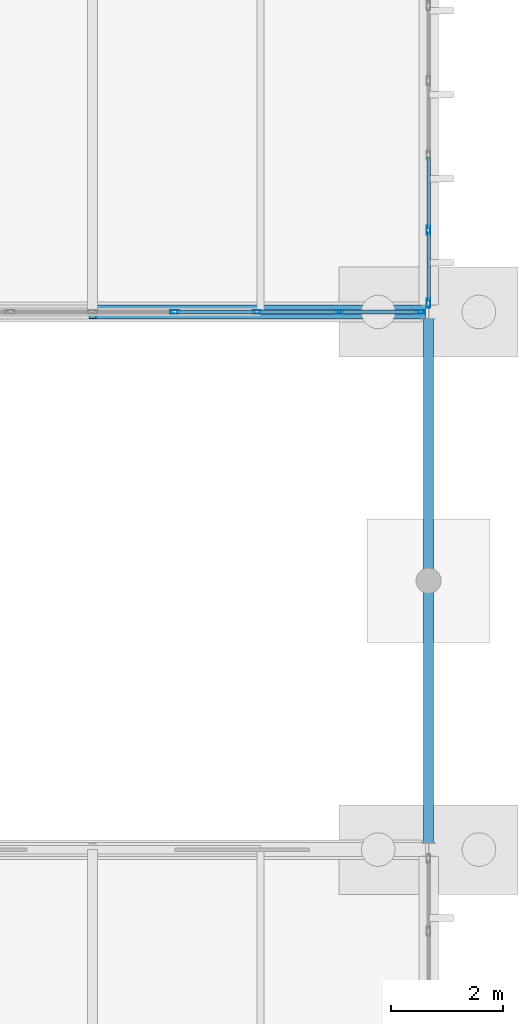
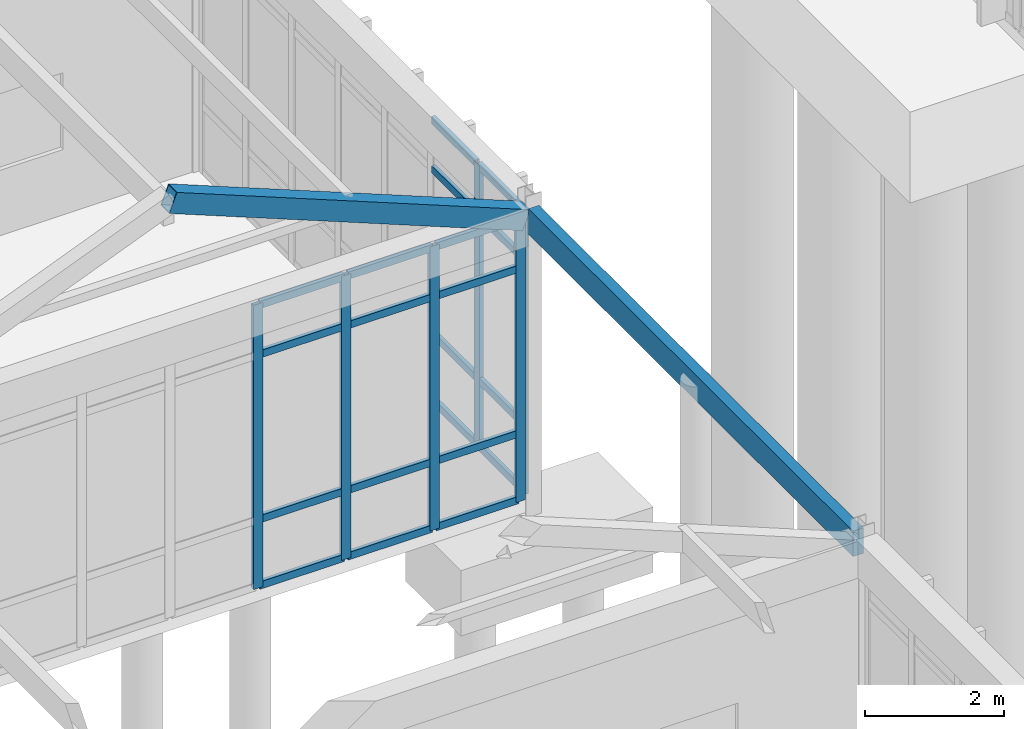
# One storey, part 68 of 188: 28 members, 2 elements without a shape of their own.
"""IFC4 building model written with IfcOpenShell, lengths in metres."""

from ifc_helpers import new_model, si_unit, direction, frame, origin, origin_2d, place, context, subcontext, project, spatial, rectangle, hollow_rectangle, extrude, material, layer, layer_set, material_profile, profile_set, type_object, element, aggregate, save


model = new_model("IFC4")

# Units and contexts
model_context = context("Model", 3, precision=1e-05, world=origin(), true_north=direction((0.0, 1.0)))
body_context = subcontext(model_context, "Body", "Model", "MODEL_VIEW")
ifc_project = project(units=[si_unit("LENGTHUNIT", "METRE"), si_unit("AREAUNIT", "SQUARE_METRE"), si_unit("VOLUMEUNIT", "CUBIC_METRE"), si_unit("PLANEANGLEUNIT", "RADIAN"), si_unit("MASSUNIT", "GRAM", prefix="KILO")], contexts=[model_context])

# Site, building, storey
site_placement = place(None, origin())
site = spatial("IfcSite", under=ifc_project, at=site_placement, CompositionType="ELEMENT")
building_placement = place(site_placement, origin())
building = spatial("IfcBuilding", under=site, at=building_placement, Name="Pandanus Reach Market Hall", CompositionType="ELEMENT")
storey_placement = place(building_placement, origin())
storey = spatial("IfcBuildingStorey", under=building, at=storey_placement, Name="L00", CompositionType="ELEMENT", Elevation=0.0)

# Curtain wall, members
ifc_material_1 = material(Name="Bronze anodised aluminium and low-E glass", Category="aluminium")
ifc_layer_1 = layer(ifc_material_1, 0.159912109375, Name="CW-07")
ifc_layer_set_1 = layer_set([ifc_layer_1], Name="Bronze anodised aluminium and low-E glass")
curtain_wall_type_1 = type_object("IfcCurtainWallType", Name="CW-07", PredefinedType="NOTDEFINED", material=ifc_layer_set_1)
curtain_wall_1_placement = place(storey_placement, origin())
curtain_wall_1 = element("IfcCurtainWall", 1, at=curtain_wall_1_placement, inside=storey, type_object=curtain_wall_type_1, Name="Glazed curtain wall CW-07 CW-0045", PredefinedType="NOTDEFINED")
ifc_material_2 = material(Name="Bronze anodised aluminium", Category="aluminium")
ifc_material_profile_1 = material_profile(ifc_material_2, hollow_rectangle(XDim=0.06494140625, YDim=0.159912109375, WallThickness=0.00390625, at=origin_2d()), Name="ALU65x160", Category="LoadBearing")
ifc_profile_set_1 = profile_set([ifc_material_profile_1], Name="Bronze anodised aluminium")
member_type_1 = type_object("IfcMemberType", Name="CW-M1", PredefinedType="MULLION", material=ifc_profile_set_1)
member_1_placement = place(storey_placement, frame((31.46826171875, 76.800048828125, 0.0), z_axis=(0.0, 0.0, 1.0), x_axis=(0.0, 1.0, 0.0)))
member_1 = element("IfcMember", 2, at=member_1_placement, type_object=member_type_1, Name="CW-07 mullion 6", PredefinedType="MULLION", context=body_context, shape_type="SweptSolid", body=[
    extrude(hollow_rectangle(XDim=0.06494140625, YDim=0.159912109375, WallThickness=0.00390625, at=origin_2d()), origin(), (0.0, 0.0, 1.0), 5.0),
])
member_2_placement = place(storey_placement, frame((32.9365234375, 76.800048828125, 0.0), z_axis=(0.0, 0.0, 1.0), x_axis=(0.0, 1.0, 0.0)))
member_2 = element("IfcMember", 3, at=member_2_placement, type_object=member_type_1, Name="CW-07 mullion 7", PredefinedType="MULLION", context=body_context, shape_type="SweptSolid", body=[
    extrude(hollow_rectangle(XDim=0.06494140625, YDim=0.159912109375, WallThickness=0.00390625, at=origin_2d()), origin(), (0.0, 0.0, 1.0), 5.0),
])
member_3_placement = place(storey_placement, frame((34.40478515625, 76.800048828125, 0.0), z_axis=(0.0, 0.0, 1.0), x_axis=(0.0, 1.0, 0.0)))
member_3 = element("IfcMember", 4, at=member_3_placement, type_object=member_type_1, Name="CW-07 mullion 8", PredefinedType="MULLION", context=body_context, shape_type="SweptSolid", body=[
    extrude(hollow_rectangle(XDim=0.06494140625, YDim=0.159912109375, WallThickness=0.00390625, at=origin_2d()), origin(), (0.0, 0.0, 1.0), 5.0),
])
member_4_placement = place(storey_placement, frame((35.840576171875, 76.800048828125, 0.0), z_axis=(0.0, 0.0, 1.0), x_axis=(0.0, 1.0, 0.0)))
member_4 = element("IfcMember", 5, at=member_4_placement, type_object=member_type_1, Name="CW-07 mullion 9", PredefinedType="MULLION", context=body_context, shape_type="SweptSolid", body=[
    extrude(hollow_rectangle(XDim=0.06494140625, YDim=0.159912109375, WallThickness=0.00390625, at=origin_2d()), origin(), (0.0, 0.0, 1.0), 5.0),
])

ifc_layer_2 = layer(ifc_material_1, 0.159912109375, Name="CW-08")
ifc_layer_set_2 = layer_set([ifc_layer_2], Name="Bronze anodised aluminium and low-E glass")
curtain_wall_type_2 = type_object("IfcCurtainWallType", Name="CW-08", PredefinedType="NOTDEFINED", material=ifc_layer_set_2)
curtain_wall_2_placement = place(storey_placement, origin())
curtain_wall_2 = element("IfcCurtainWall", 6, at=curtain_wall_2_placement, inside=storey, type_object=curtain_wall_type_2, Name="Glazed curtain wall CW-08 CW-0046", PredefinedType="NOTDEFINED")
member_5_placement = place(storey_placement, frame((36.0, 76.95947265625, 0.0), z_axis=(0.0, 0.0, 1.0), x_axis=(-1.0, 0.0, 0.0)))
member_5 = element("IfcMember", 7, at=member_5_placement, type_object=member_type_1, Name="CW-08 mullion 1", PredefinedType="MULLION", context=body_context, shape_type="SweptSolid", body=[
    extrude(hollow_rectangle(XDim=0.06494140625, YDim=0.159912109375, WallThickness=0.00390625, at=origin_2d()), origin(), (0.0, 0.0, 1.0), 5.0),
])
member_6_placement = place(storey_placement, frame((36.0, 78.26220703125, 0.0), z_axis=(0.0, 0.0, 1.0), x_axis=(-1.0, 0.0, 0.0)))
member_6 = element("IfcMember", 8, at=member_6_placement, type_object=member_type_1, Name="CW-08 mullion 2", PredefinedType="MULLION", context=body_context, shape_type="SweptSolid", body=[
    extrude(hollow_rectangle(XDim=0.06494140625, YDim=0.159912109375, WallThickness=0.00390625, at=origin_2d()), origin(), (0.0, 0.0, 1.0), 5.0),
])

# Member
ifc_material_profile_2 = material_profile(ifc_material_2, hollow_rectangle(XDim=0.06494140625, YDim=0.1298828125, WallThickness=0.00390625, at=origin_2d()), Name="ALU65x130", Category="LoadBearing")
ifc_profile_set_2 = profile_set([ifc_material_profile_2], Name="Bronze anodised aluminium")
member_type_2 = type_object("IfcMemberType", Name="CW-T1", PredefinedType="USERDEFINED", material=ifc_profile_set_2)
member_7_placement = place(storey_placement, frame((31.500732421875, 76.800048828125, 0.032470703125), z_axis=(1.0, 0.0, 0.0), x_axis=(0.0, 1.0, 0.0)))
member_7 = element("IfcMember", 9, at=member_7_placement, type_object=member_type_2, Name="CW-07 transom 6.1", ObjectType="TRANSOM", PredefinedType="USERDEFINED", context=body_context, shape_type="SweptSolid", body=[
    extrude(hollow_rectangle(XDim=0.06494140625, YDim=0.1298828125, WallThickness=0.00390625, at=origin_2d()), origin(), (0.0, 0.0, 1.0), 1.4033203125),
])

member_8_placement = place(storey_placement, frame((31.500732421875, 76.800048828125, 1.199951171875), z_axis=(1.0, 0.0, 0.0), x_axis=(0.0, 1.0, 0.0)))
member_8 = element("IfcMember", 10, at=member_8_placement, type_object=member_type_2, Name="CW-07 transom 6.2", ObjectType="TRANSOM", PredefinedType="USERDEFINED", context=body_context, shape_type="SweptSolid", body=[
    extrude(hollow_rectangle(XDim=0.06494140625, YDim=0.1298828125, WallThickness=0.00390625, at=origin_2d()), origin(), (0.0, 0.0, 1.0), 1.4033203125),
])

member_9_placement = place(storey_placement, frame((31.500732421875, 76.800048828125, 4.10009765625), z_axis=(1.0, 0.0, 0.0), x_axis=(0.0, 1.0, 0.0)))
member_9 = element("IfcMember", 11, at=member_9_placement, type_object=member_type_2, Name="CW-07 transom 6.3", ObjectType="TRANSOM", PredefinedType="USERDEFINED", context=body_context, shape_type="SweptSolid", body=[
    extrude(hollow_rectangle(XDim=0.06494140625, YDim=0.1298828125, WallThickness=0.00390625, at=origin_2d()), origin(), (0.0, 0.0, 1.0), 1.4033203125),
])

member_10_placement = place(storey_placement, frame((31.500732421875, 76.800048828125, 4.967529296875), z_axis=(1.0, 0.0, 0.0), x_axis=(0.0, 1.0, 0.0)))
member_10 = element("IfcMember", 12, at=member_10_placement, type_object=member_type_2, Name="CW-07 transom 6.4", ObjectType="TRANSOM", PredefinedType="USERDEFINED", context=body_context, shape_type="SweptSolid", body=[
    extrude(hollow_rectangle(XDim=0.06494140625, YDim=0.1298828125, WallThickness=0.00390625, at=origin_2d()), origin(), (0.0, 0.0, 1.0), 1.4033203125),
])

member_11_placement = place(storey_placement, frame((32.968994140625, 76.800048828125, 0.032470703125), z_axis=(1.0, 0.0, 0.0), x_axis=(0.0, 1.0, 0.0)))
member_11 = element("IfcMember", 13, at=member_11_placement, type_object=member_type_2, Name="CW-07 transom 7.1", ObjectType="TRANSOM", PredefinedType="USERDEFINED", context=body_context, shape_type="SweptSolid", body=[
    extrude(hollow_rectangle(XDim=0.06494140625, YDim=0.1298828125, WallThickness=0.00390625, at=origin_2d()), origin(), (0.0, 0.0, 1.0), 1.4033203125),
])

member_12_placement = place(storey_placement, frame((32.968994140625, 76.800048828125, 1.199951171875), z_axis=(1.0, 0.0, 0.0), x_axis=(0.0, 1.0, 0.0)))
member_12 = element("IfcMember", 14, at=member_12_placement, type_object=member_type_2, Name="CW-07 transom 7.2", ObjectType="TRANSOM", PredefinedType="USERDEFINED", context=body_context, shape_type="SweptSolid", body=[
    extrude(hollow_rectangle(XDim=0.06494140625, YDim=0.1298828125, WallThickness=0.00390625, at=origin_2d()), origin(), (0.0, 0.0, 1.0), 1.4033203125),
])

member_13_placement = place(storey_placement, frame((32.968994140625, 76.800048828125, 4.10009765625), z_axis=(1.0, 0.0, 0.0), x_axis=(0.0, 1.0, 0.0)))
member_13 = element("IfcMember", 15, at=member_13_placement, type_object=member_type_2, Name="CW-07 transom 7.3", ObjectType="TRANSOM", PredefinedType="USERDEFINED", context=body_context, shape_type="SweptSolid", body=[
    extrude(hollow_rectangle(XDim=0.06494140625, YDim=0.1298828125, WallThickness=0.00390625, at=origin_2d()), origin(), (0.0, 0.0, 1.0), 1.4033203125),
])

member_14_placement = place(storey_placement, frame((32.968994140625, 76.800048828125, 4.967529296875), z_axis=(1.0, 0.0, 0.0), x_axis=(0.0, 1.0, 0.0)))
member_14 = element("IfcMember", 16, at=member_14_placement, type_object=member_type_2, Name="CW-07 transom 7.4", ObjectType="TRANSOM", PredefinedType="USERDEFINED", context=body_context, shape_type="SweptSolid", body=[
    extrude(hollow_rectangle(XDim=0.06494140625, YDim=0.1298828125, WallThickness=0.00390625, at=origin_2d()), origin(), (0.0, 0.0, 1.0), 1.4033203125),
])

member_15_placement = place(storey_placement, frame((34.437255859375, 76.800048828125, 0.032470703125), z_axis=(1.0, 0.0, 0.0), x_axis=(0.0, 1.0, 0.0)))
member_15 = element("IfcMember", 17, at=member_15_placement, type_object=member_type_2, Name="CW-07 transom 8.1", ObjectType="TRANSOM", PredefinedType="USERDEFINED", context=body_context, shape_type="SweptSolid", body=[
    extrude(hollow_rectangle(XDim=0.06494140625, YDim=0.1298828125, WallThickness=0.00390625, at=origin_2d()), origin(), (0.0, 0.0, 1.0), 1.370849609375),
])

member_16_placement = place(storey_placement, frame((34.437255859375, 76.800048828125, 1.199951171875), z_axis=(1.0, 0.0, 0.0), x_axis=(0.0, 1.0, 0.0)))
member_16 = element("IfcMember", 18, at=member_16_placement, type_object=member_type_2, Name="CW-07 transom 8.2", ObjectType="TRANSOM", PredefinedType="USERDEFINED", context=body_context, shape_type="SweptSolid", body=[
    extrude(hollow_rectangle(XDim=0.06494140625, YDim=0.1298828125, WallThickness=0.00390625, at=origin_2d()), origin(), (0.0, 0.0, 1.0), 1.370849609375),
])

member_17_placement = place(storey_placement, frame((34.437255859375, 76.800048828125, 4.10009765625), z_axis=(1.0, 0.0, 0.0), x_axis=(0.0, 1.0, 0.0)))
member_17 = element("IfcMember", 19, at=member_17_placement, type_object=member_type_2, Name="CW-07 transom 8.3", ObjectType="TRANSOM", PredefinedType="USERDEFINED", context=body_context, shape_type="SweptSolid", body=[
    extrude(hollow_rectangle(XDim=0.06494140625, YDim=0.1298828125, WallThickness=0.00390625, at=origin_2d()), origin(), (0.0, 0.0, 1.0), 1.370849609375),
])

member_18_placement = place(storey_placement, frame((34.437255859375, 76.800048828125, 4.967529296875), z_axis=(1.0, 0.0, 0.0), x_axis=(0.0, 1.0, 0.0)))
member_18 = element("IfcMember", 20, at=member_18_placement, type_object=member_type_2, Name="CW-07 transom 8.4", ObjectType="TRANSOM", PredefinedType="USERDEFINED", context=body_context, shape_type="SweptSolid", body=[
    extrude(hollow_rectangle(XDim=0.06494140625, YDim=0.1298828125, WallThickness=0.00390625, at=origin_2d()), origin(), (0.0, 0.0, 1.0), 1.370849609375),
])

aggregate(curtain_wall_1, [member_1, member_2, member_3, member_4, member_7, member_8, member_9, member_10, member_11, member_12, member_13, member_14, member_15, member_16, member_17, member_18])

member_19_placement = place(storey_placement, frame((36.0, 76.991943359375, 0.032470703125), z_axis=(0.0, 1.0, 0.0), x_axis=(-1.0, 0.0, 0.0)))
member_19 = element("IfcMember", 21, at=member_19_placement, type_object=member_type_2, Name="CW-08 transom 1.1", ObjectType="TRANSOM", PredefinedType="USERDEFINED", context=body_context, shape_type="SweptSolid", body=[
    extrude(hollow_rectangle(XDim=0.06494140625, YDim=0.1298828125, WallThickness=0.00390625, at=origin_2d()), origin(), (0.0, 0.0, 1.0), 1.23779296875),
])

member_20_placement = place(storey_placement, frame((36.0, 76.991943359375, 1.199951171875), z_axis=(0.0, 1.0, 0.0), x_axis=(-1.0, 0.0, 0.0)))
member_20 = element("IfcMember", 22, at=member_20_placement, type_object=member_type_2, Name="CW-08 transom 1.2", ObjectType="TRANSOM", PredefinedType="USERDEFINED", context=body_context, shape_type="SweptSolid", body=[
    extrude(hollow_rectangle(XDim=0.06494140625, YDim=0.1298828125, WallThickness=0.00390625, at=origin_2d()), origin(), (0.0, 0.0, 1.0), 1.23779296875),
])

member_21_placement = place(storey_placement, frame((36.0, 76.991943359375, 4.10009765625), z_axis=(0.0, 1.0, 0.0), x_axis=(-1.0, 0.0, 0.0)))
member_21 = element("IfcMember", 23, at=member_21_placement, type_object=member_type_2, Name="CW-08 transom 1.3", ObjectType="TRANSOM", PredefinedType="USERDEFINED", context=body_context, shape_type="SweptSolid", body=[
    extrude(hollow_rectangle(XDim=0.06494140625, YDim=0.1298828125, WallThickness=0.00390625, at=origin_2d()), origin(), (0.0, 0.0, 1.0), 1.23779296875),
])

member_22_placement = place(storey_placement, frame((36.0, 76.991943359375, 4.967529296875), z_axis=(0.0, 1.0, 0.0), x_axis=(-1.0, 0.0, 0.0)))
member_22 = element("IfcMember", 24, at=member_22_placement, type_object=member_type_2, Name="CW-08 transom 1.4", ObjectType="TRANSOM", PredefinedType="USERDEFINED", context=body_context, shape_type="SweptSolid", body=[
    extrude(hollow_rectangle(XDim=0.06494140625, YDim=0.1298828125, WallThickness=0.00390625, at=origin_2d()), origin(), (0.0, 0.0, 1.0), 1.23779296875),
])

member_23_placement = place(storey_placement, frame((36.0, 78.294677734375, 0.032470703125), z_axis=(0.0, 1.0, 0.0), x_axis=(-1.0, 0.0, 0.0)))
member_23 = element("IfcMember", 25, at=member_23_placement, type_object=member_type_2, Name="CW-08 transom 2.1", ObjectType="TRANSOM", PredefinedType="USERDEFINED", context=body_context, shape_type="SweptSolid", body=[
    extrude(hollow_rectangle(XDim=0.06494140625, YDim=0.1298828125, WallThickness=0.00390625, at=origin_2d()), origin(), (0.0, 0.0, 1.0), 1.27001953125),
])

member_24_placement = place(storey_placement, frame((36.0, 78.294677734375, 1.199951171875), z_axis=(0.0, 1.0, 0.0), x_axis=(-1.0, 0.0, 0.0)))
member_24 = element("IfcMember", 26, at=member_24_placement, type_object=member_type_2, Name="CW-08 transom 2.2", ObjectType="TRANSOM", PredefinedType="USERDEFINED", context=body_context, shape_type="SweptSolid", body=[
    extrude(hollow_rectangle(XDim=0.06494140625, YDim=0.1298828125, WallThickness=0.00390625, at=origin_2d()), origin(), (0.0, 0.0, 1.0), 1.27001953125),
])

member_25_placement = place(storey_placement, frame((36.0, 78.294677734375, 4.10009765625), z_axis=(0.0, 1.0, 0.0), x_axis=(-1.0, 0.0, 0.0)))
member_25 = element("IfcMember", 27, at=member_25_placement, type_object=member_type_2, Name="CW-08 transom 2.3", ObjectType="TRANSOM", PredefinedType="USERDEFINED", context=body_context, shape_type="SweptSolid", body=[
    extrude(hollow_rectangle(XDim=0.06494140625, YDim=0.1298828125, WallThickness=0.00390625, at=origin_2d()), origin(), (0.0, 0.0, 1.0), 1.27001953125),
])

member_26_placement = place(storey_placement, frame((36.0, 78.294677734375, 4.967529296875), z_axis=(0.0, 1.0, 0.0), x_axis=(-1.0, 0.0, 0.0)))
member_26 = element("IfcMember", 28, at=member_26_placement, type_object=member_type_2, Name="CW-08 transom 2.4", ObjectType="TRANSOM", PredefinedType="USERDEFINED", context=body_context, shape_type="SweptSolid", body=[
    extrude(hollow_rectangle(XDim=0.06494140625, YDim=0.1298828125, WallThickness=0.00390625, at=origin_2d()), origin(), (0.0, 0.0, 1.0), 1.27001953125),
])

aggregate(curtain_wall_2, [member_5, member_6, member_19, member_20, member_21, member_22, member_23, member_24, member_25, member_26])

# Members
ifc_material_3 = material(Name="Glulam timber GL17", Category="wood")
ifc_material_profile_3 = material_profile(ifc_material_3, rectangle(XDim=0.175048828125, YDim=0.449951171875, at=origin_2d()), Name="GL175x450", Category="LoadBearing")
ifc_profile_set_3 = profile_set([ifc_material_profile_3], Name="Glulam timber GL17")
member_type_3 = type_object("IfcMemberType", Name="PR-GL175-E", PredefinedType="PURLIN", material=ifc_profile_set_3)
member_27_placement = place(storey_placement, frame((36.0, 67.320068359375, 4.949951171875), z_axis=(0.0, 1.0, 0.0), x_axis=(-1.0, 0.0, 0.0)))
element("IfcMember", 29, at=member_27_placement, inside=storey, type_object=member_type_3, Name="Breezeway glulam purlin 2.36", PredefinedType="PURLIN", context=body_context, shape_type="SweptSolid", body=[
    extrude(rectangle(XDim=0.175048828125, YDim=0.449951171875, at=origin_2d()), origin(), (0.0, 0.0, 1.0), 9.35986328125),
])
ifc_material_4 = material(Name="Steel Grade 350 (350 MPa)", Category="steel")
ifc_material_profile_4 = material_profile(ifc_material_4, hollow_rectangle(XDim=0.25, YDim=0.35009765625, WallThickness=0.012451171875, at=origin_2d()), Name="350x250x12.5RHS", Category="LoadBearing")
ifc_profile_set_4 = profile_set([ifc_material_profile_4], Name="Steel Grade 350 (350 MPa)")
member_type_4 = type_object("IfcMemberType", Name="RF-RHS350-E", PredefinedType="RAFTER", material=ifc_profile_set_4)
member_28_placement = place(storey_placement, frame((30.0, 76.800048828125, 7.3486328125), z_axis=(0.927845665363, 0.0, -0.372964369971), x_axis=(0.0, 1.0, 0.0)))
element("IfcMember", 30, at=member_28_placement, inside=storey, type_object=member_type_4, Name="Steep gable rafter R3.B3E", PredefinedType="RAFTER", context=body_context, shape_type="SweptSolid", body=[
    extrude(hollow_rectangle(XDim=0.25, YDim=0.35009765625, WallThickness=0.012451171875, at=origin_2d()), origin(), (0.0, 0.0, 1.0), 6.337158203125),
])

save(model, "model.ifc")
